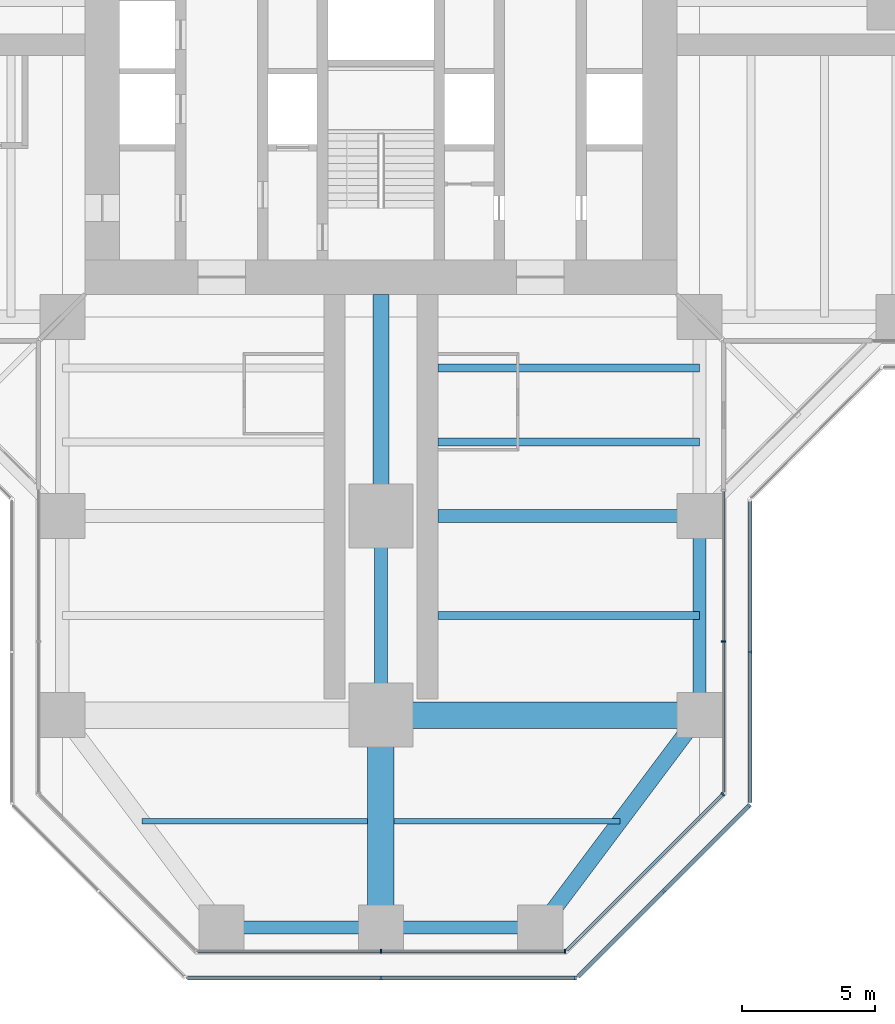
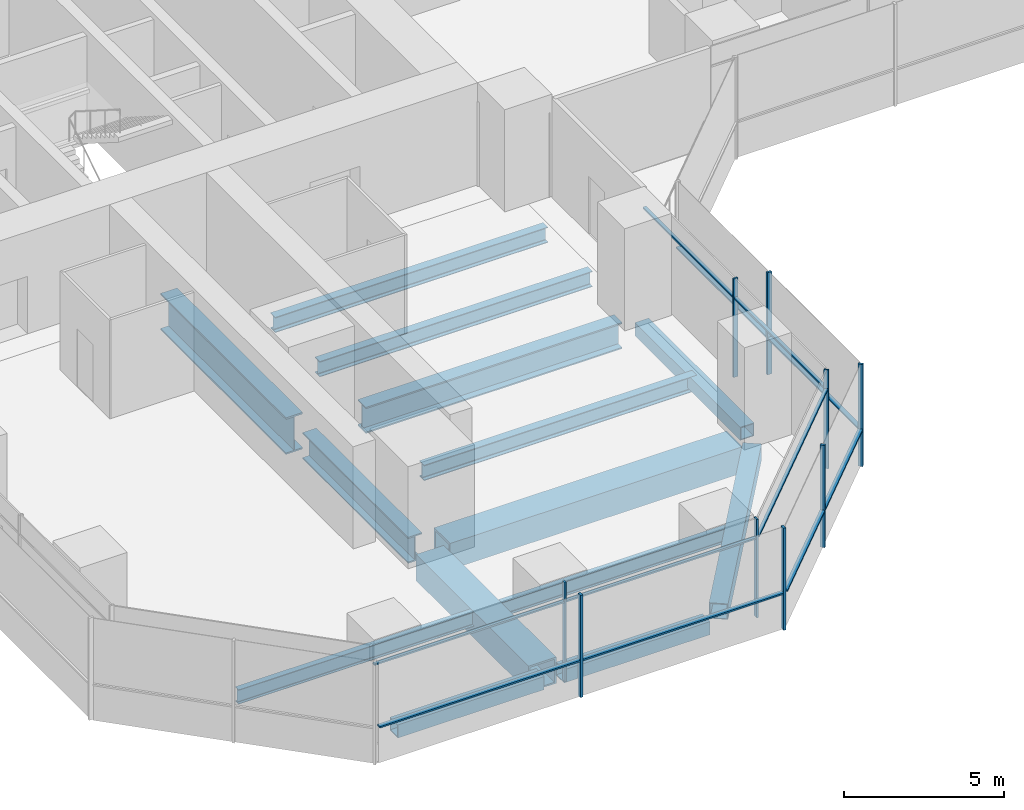
# One storey, part 5 of 22: 20 members, 14 beams, 6 elements without a shape of their own.
"""IFC4 building model written with IfcOpenShell, lengths in metres."""

from ifc_helpers import new_model, si_unit, direction, frame, origin, origin_2d, place, context, subcontext, project, spatial, rectangle, hollow_rectangle, i_section, extrude, material, material_profile, profile_set, type_object, element, aggregate, save


model = new_model("IFC4")

# Units and contexts
model_context = context("Model", 3, precision=1e-05, world=origin(), true_north=direction((0.0, 1.0)))
body_context = subcontext(model_context, "Body", "Model", "MODEL_VIEW")
ifc_project = project(units=[si_unit("LENGTHUNIT", "METRE"), si_unit("AREAUNIT", "SQUARE_METRE"), si_unit("VOLUMEUNIT", "CUBIC_METRE"), si_unit("PLANEANGLEUNIT", "RADIAN"), si_unit("MASSUNIT", "GRAM", prefix="KILO")], contexts=[model_context])

# Site, building, storey
site_placement = place(None, origin())
site = spatial("IfcSite", under=ifc_project, at=site_placement, CompositionType="ELEMENT")
building_placement = place(site_placement, origin())
building = spatial("IfcBuilding", under=site, at=building_placement, Name="Mizan Broadcast Tower", CompositionType="ELEMENT")
storey_placement = place(building_placement, frame((0.0, 0.0, 51.300048828125)))
storey = spatial("IfcBuildingStorey", under=building, at=storey_placement, Name="L09", CompositionType="ELEMENT", Elevation=51.300048828125)

# Beams
ifc_material_1 = material(Name="Steel S355", Category="steel")
ifc_material_profile_1 = material_profile(ifc_material_1, hollow_rectangle(XDim=0.5, YDim=0.5, WallThickness=0.030029296875, at=origin_2d()), Name="BOX 500x500x30")
ifc_profile_set_1 = profile_set([ifc_material_profile_1], Name="Steel S355")
beam_type_1 = type_object("IfcBeamType", Name="EDGE BEAM BOX 500x500x30", PredefinedType="SPANDREL", material=ifc_profile_set_1)
beam_1_placement = place(storey_placement, frame((-5.639892578125, -35.0, -0.380126953125), z_axis=(1.0, 0.0, 0.0), x_axis=(0.0, 1.0, 0.0)))
element("IfcBeam", 1, at=beam_1_placement, inside=storey, type_object=beam_type_1, Name="Edge beam BOX 500x500x30 L09 south arm", PredefinedType="SPANDREL", context=body_context, shape_type="SweptSolid", body=[
    extrude(hollow_rectangle(XDim=0.5, YDim=0.5, WallThickness=0.030029296875, at=origin_2d()), origin(), (0.0, 0.0, 1.0), 5.27978515625),
])
beam_2_placement = place(storey_placement, frame((12.0, -19.949951171875, -0.380126953125), z_axis=(0.0, -1.0, 0.0), x_axis=(1.0, 0.0, 0.0)))
element("IfcBeam", 2, at=beam_2_placement, inside=storey, type_object=beam_type_1, Name="Edge beam BOX 500x500x30 L09 south arm", PredefinedType="SPANDREL", context=body_context, shape_type="SweptSolid", body=[
    extrude(hollow_rectangle(XDim=0.5, YDim=0.5, WallThickness=0.030029296875, at=origin_2d()), origin(), (0.0, 0.0, 1.0), 6.60009765625),
])
beam_3_placement = place(storey_placement, frame((5.639892578125, -35.0, -0.380126953125), z_axis=(-1.0, 0.0, 0.0), x_axis=(0.0, -1.0, 0.0)))
element("IfcBeam", 3, at=beam_3_placement, inside=storey, type_object=beam_type_1, Name="Edge beam BOX 500x500x30 L09 south arm", PredefinedType="SPANDREL", context=body_context, shape_type="SweptSolid", body=[
    extrude(hollow_rectangle(XDim=0.5, YDim=0.5, WallThickness=0.030029296875, at=origin_2d()), origin(), (0.0, 0.0, 1.0), 5.27978515625),
])
ifc_material_2 = material(Name="Steel S355", Category="steel")
ifc_material_profile_2 = material_profile(ifc_material_2, hollow_rectangle(XDim=0.60009765625, YDim=0.60009765625, WallThickness=0.030029296875, at=origin_2d()), Name="BOX 600x600x30")
ifc_profile_set_2 = profile_set([ifc_material_profile_2], Name="Steel S355")
beam_type_2 = type_object("IfcBeamType", Name="EDGE BEAM BOX 600x600x30", PredefinedType="SPANDREL", material=ifc_profile_set_2)
beam_4_placement = place(storey_placement, frame((11.639892578125, -27.47998046875, -0.429931640625), z_axis=(-0.599982243973, -0.800013316712, 0.0), x_axis=(0.800013316712, -0.599982243973, 0.0)))
element("IfcBeam", 4, at=beam_4_placement, inside=storey, type_object=beam_type_2, Name="Edge beam BOX 600x600x30 L09 south arm", PredefinedType="SPANDREL", context=body_context, shape_type="SweptSolid", body=[
    extrude(hollow_rectangle(XDim=0.60009765625, YDim=0.60009765625, WallThickness=0.030029296875, at=origin_2d()), origin(), (0.0, 0.0, 1.0), 8.7998046875),
])
ifc_material_3 = material(Name="Steel S460", Category="steel")
ifc_material_profile_3 = material_profile(ifc_material_3, hollow_rectangle(XDim=1.0, YDim=1.0, WallThickness=0.06005859375, at=origin_2d()), Name="BOX 1000x1000x60")
ifc_profile_set_3 = profile_set([ifc_material_profile_3], Name="Steel S460")
beam_type_3 = type_object("IfcBeamType", Name="GIRDER BOX 1000x1000x60", PredefinedType="BEAM", material=ifc_profile_set_3)
beam_5_placement = place(storey_placement, frame((0.0, -27.47998046875, -0.630126953125), z_axis=(0.0, -1.0, 0.0), x_axis=(1.0, 0.0, 0.0)))
element("IfcBeam", 5, at=beam_5_placement, inside=storey, type_object=beam_type_3, Name="Girder BOX 1000x1000x60 L09 south arm", PredefinedType="BEAM", context=body_context, shape_type="SweptSolid", body=[
    extrude(hollow_rectangle(XDim=1.0, YDim=1.0, WallThickness=0.06005859375, at=origin_2d()), origin(), (0.0, 0.0, 1.0), 7.0400390625),
])
ifc_material_4 = material(Name="Steel S460", Category="steel")
ifc_material_profile_4 = material_profile(ifc_material_4, hollow_rectangle(XDim=1.0, YDim=1.0, WallThickness=0.080078125, at=origin_2d()), Name="BOX 1000x1000x80")
ifc_profile_set_4 = profile_set([ifc_material_profile_4], Name="Steel S460")
beam_type_4 = type_object("IfcBeamType", Name="GIRDER BOX 1000x1000x80", PredefinedType="BEAM", material=ifc_profile_set_4)
beam_6_placement = place(storey_placement, frame((11.280029296875, -27.0, -0.630126953125), z_axis=(-1.0, 0.0, 0.0), x_axis=(0.0, -1.0, 0.0)))
element("IfcBeam", 6, at=beam_6_placement, inside=storey, type_object=beam_type_4, Name="Girder BOX 1000x1000x80 L09 south arm", PredefinedType="BEAM", context=body_context, shape_type="SweptSolid", body=[
    extrude(hollow_rectangle(XDim=1.0, YDim=1.0, WallThickness=0.080078125, at=origin_2d()), origin(), (0.0, 0.0, 1.0), 10.56005859375),
])
ifc_material_5 = material(Name="Steel S460", Category="steel")
ifc_material_profile_5 = material_profile(ifc_material_5, i_section(OverallWidth=0.5, OverallDepth=1.0, WebThickness=0.02490234375, FlangeThickness=0.050048828125, at=origin_2d()), Name="WPG 1000x500")
ifc_profile_set_5 = profile_set([ifc_material_profile_5], Name="Steel S460")
beam_type_5 = type_object("IfcBeamType", Name="GIRDER WPG 1000x500", PredefinedType="BEAM", material=ifc_profile_set_5)
beam_7_placement = place(storey_placement, frame((0.0, -19.949951171875, -0.630126953125), z_axis=(0.0, -1.0, 0.0), x_axis=(1.0, 0.0, 0.0)))
element("IfcBeam", 7, at=beam_7_placement, inside=storey, type_object=beam_type_5, Name="Girder WPG 1000x500 L09 south arm", PredefinedType="BEAM", context=body_context, shape_type="SweptSolid", body=[
    extrude(i_section(OverallWidth=0.5, OverallDepth=1.0, WebThickness=0.02490234375, FlangeThickness=0.050048828125, at=origin_2d()), origin(), (0.0, 0.0, 1.0), 6.60009765625),
])
beam_8_placement = place(storey_placement, frame((11.408935546875, -19.5, -0.630126953125), z_axis=(-1.0, 0.0, 0.0), x_axis=(0.0, -1.0, 0.0)))
element("IfcBeam", 8, at=beam_8_placement, inside=storey, type_object=beam_type_5, Name="Girder WPG 1000x500 L09 south arm", PredefinedType="BEAM", context=body_context, shape_type="SweptSolid", body=[
    extrude(i_section(OverallWidth=0.5, OverallDepth=1.0, WebThickness=0.02490234375, FlangeThickness=0.050048828125, at=origin_2d()), origin(), (0.0, 0.0, 1.0), 9.259033203125),
])
ifc_material_6 = material(Name="Steel S460", Category="steel")
ifc_material_profile_6 = material_profile(ifc_material_6, i_section(OverallWidth=0.60009765625, OverallDepth=1.39990234375, WebThickness=0.02490234375, FlangeThickness=0.06005859375, at=origin_2d()), Name="WPG 1400x600")
ifc_profile_set_6 = profile_set([ifc_material_profile_6], Name="Steel S460")
beam_type_6 = type_object("IfcBeamType", Name="GIRDER WPG 1400x600", PredefinedType="BEAM", material=ifc_profile_set_6)
beam_9_placement = place(storey_placement, frame((0.0, -11.14990234375, -0.830078125), z_axis=(0.0, -1.0, 0.0), x_axis=(1.0, 0.0, 0.0)))
element("IfcBeam", 9, at=beam_9_placement, inside=storey, type_object=beam_type_6, Name="Girder WPG 1400x600 L09 south arm", PredefinedType="BEAM", context=body_context, shape_type="SweptSolid", body=[
    extrude(i_section(OverallWidth=0.60009765625, OverallDepth=1.39990234375, WebThickness=0.02490234375, FlangeThickness=0.06005859375, at=origin_2d()), origin(), (0.0, 0.0, 1.0), 7.84912109375),
])

# Curtain wall, members
ifc_material_7 = material(Name="Aluminium framed glazing", Category="aluminium")
curtain_wall_type_1 = type_object("IfcCurtainWallType", Name="INNER SKIN LOW ZONE", PredefinedType="USERDEFINED", material=ifc_material_7)
curtain_wall_1_placement = place(storey_placement, origin())
curtain_wall_1 = element("IfcCurtainWall", 10, at=curtain_wall_1_placement, inside=storey, type_object=curtain_wall_type_1, Name="Inner skin low zone L09 S end", ObjectType="INNER SKIN LOW ZONE", PredefinedType="USERDEFINED")
ifc_material_8 = material(Name="Aluminium, pale anodised", Category="aluminium")
ifc_material_profile_7 = material_profile(ifc_material_8, rectangle(XDim=0.159912109375, YDim=0.06005859375, at=origin_2d()), Name="MULLION 160x60")
ifc_profile_set_7 = profile_set([ifc_material_profile_7], Name="Aluminium, pale anodised")
member_type_1 = type_object("IfcMemberType", Name="INNER SKIN MULLION 60x160", PredefinedType="MULLION", material=ifc_profile_set_7)
member_1_placement = place(storey_placement, frame((0.0, -35.89990234375, 0.0), z_axis=(0.0, 0.0, 1.0), x_axis=(0.0, 1.0, 0.0)))
member_1 = element("IfcMember", 11, at=member_1_placement, type_object=member_type_1, Name="Inner skin low zone L09 S end mullion 2", PredefinedType="MULLION", context=body_context, shape_type="SweptSolid", body=[
    extrude(rectangle(XDim=0.159912109375, YDim=0.06005859375, at=origin_2d()), origin(), (0.0, 0.0, 1.0), 3.77001953125),
])
member_2_placement = place(storey_placement, frame((6.928466796875, -35.89990234375, 0.0), z_axis=(0.0, 0.0, 1.0), x_axis=(0.0, 1.0, 0.0)))
member_2 = element("IfcMember", 12, at=member_2_placement, type_object=member_type_1, Name="Inner skin low zone L09 S end mullion 3", PredefinedType="MULLION", context=body_context, shape_type="SweptSolid", body=[
    extrude(rectangle(XDim=0.159912109375, YDim=0.06005859375, at=origin_2d()), origin(), (0.0, 0.0, 1.0), 3.77001953125),
])

# Curtain wall, member
curtain_wall_2_placement = place(storey_placement, origin())
curtain_wall_2 = element("IfcCurtainWall", 13, at=curtain_wall_2_placement, inside=storey, type_object=curtain_wall_type_1, Name="Inner skin low zone L09 S chamfer", ObjectType="INNER SKIN LOW ZONE", PredefinedType="USERDEFINED")
member_3_placement = place(storey_placement, frame((12.87890625, -29.979736328125, 0.0), z_axis=(0.0, 0.0, 1.0), x_axis=(-0.707106781187, 0.707106781187, 0.0)))
member_3 = element("IfcMember", 14, at=member_3_placement, type_object=member_type_1, Name="Inner skin low zone L09 S chamfer mullion 2", PredefinedType="MULLION", context=body_context, shape_type="SweptSolid", body=[
    extrude(rectangle(XDim=0.159912109375, YDim=0.06005859375, at=origin_2d()), origin(), (0.0, 0.0, 1.0), 3.77001953125),
])

curtain_wall_3_placement = place(storey_placement, origin())
curtain_wall_3 = element("IfcCurtainWall", 15, at=curtain_wall_3_placement, inside=storey, type_object=curtain_wall_type_1, Name="Inner skin low zone L09 S side", ObjectType="INNER SKIN LOW ZONE", PredefinedType="USERDEFINED")
member_4_placement = place(storey_placement, frame((12.89990234375, -24.229248046875, 0.0), z_axis=(0.0, 0.0, 1.0), x_axis=(-1.0, 0.0, 0.0)))
member_4 = element("IfcMember", 16, at=member_4_placement, type_object=member_type_1, Name="Inner skin low zone L09 S side mullion 2", PredefinedType="MULLION", context=body_context, shape_type="SweptSolid", body=[
    extrude(rectangle(XDim=0.159912109375, YDim=0.06005859375, at=origin_2d()), origin(), (0.0, 0.0, 1.0), 3.77001953125),
])

# Member
ifc_material_9 = material(Name="Aluminium, pale anodised", Category="aluminium")
ifc_material_profile_8 = material_profile(ifc_material_9, rectangle(XDim=0.1201171875, YDim=0.06005859375, at=origin_2d()), Name="TRANSOM 120x60")
ifc_profile_set_8 = profile_set([ifc_material_profile_8], Name="Aluminium, pale anodised")
member_type_2 = type_object("IfcMemberType", Name="INNER SKIN TRANSOM 60x120", PredefinedType="USERDEFINED", material=ifc_profile_set_8)
member_5_placement = place(storey_placement, frame((-6.898681640625, -35.89990234375, 3.030029296875), z_axis=(1.0, 0.0, 0.0), x_axis=(0.0, 1.0, 0.0)))
member_5 = element("IfcMember", 17, at=member_5_placement, type_object=member_type_2, Name="Inner skin low zone L09 S end transom 1.1", ObjectType="TRANSOM", PredefinedType="USERDEFINED", context=body_context, shape_type="SweptSolid", body=[
    extrude(rectangle(XDim=0.1201171875, YDim=0.06005859375, at=origin_2d()), origin(), (0.0, 0.0, 1.0), 6.86865234375),
])

member_6_placement = place(storey_placement, frame((0.030029296875, -35.89990234375, 3.030029296875), z_axis=(1.0, 0.0, 0.0), x_axis=(0.0, 1.0, 0.0)))
member_6 = element("IfcMember", 18, at=member_6_placement, type_object=member_type_2, Name="Inner skin low zone L09 S end transom 2.1", ObjectType="TRANSOM", PredefinedType="USERDEFINED", context=body_context, shape_type="SweptSolid", body=[
    extrude(rectangle(XDim=0.1201171875, YDim=0.06005859375, at=origin_2d()), origin(), (0.0, 0.0, 1.0), 6.86865234375),
])

aggregate(curtain_wall_1, [member_1, member_2, member_5, member_6])

member_7_placement = place(storey_placement, frame((7.0009765625, -35.857666015625, 3.030029296875), z_axis=(0.707106781187, 0.707106781187, 0.0), x_axis=(-0.707106781187, 0.707106781187, 0.0)))
member_7 = element("IfcMember", 19, at=member_7_placement, type_object=member_type_2, Name="Inner skin low zone L09 S chamfer transom 1.1", ObjectType="TRANSOM", PredefinedType="USERDEFINED", context=body_context, shape_type="SweptSolid", body=[
    extrude(rectangle(XDim=0.1201171875, YDim=0.06005859375, at=origin_2d()), origin(), (0.0, 0.0, 1.0), 8.28271484375),
])

aggregate(curtain_wall_2, [member_3, member_7])

member_8_placement = place(storey_placement, frame((12.89990234375, -29.898681640625, 3.030029296875), z_axis=(0.0, 1.0, 0.0), x_axis=(-1.0, 0.0, 0.0)))
member_8 = element("IfcMember", 20, at=member_8_placement, type_object=member_type_2, Name="Inner skin low zone L09 S side transom 1.1", ObjectType="TRANSOM", PredefinedType="USERDEFINED", context=body_context, shape_type="SweptSolid", body=[
    extrude(rectangle(XDim=0.1201171875, YDim=0.06005859375, at=origin_2d()), origin(), (0.0, 0.0, 1.0), 5.639404296875),
])

member_9_placement = place(storey_placement, frame((12.89990234375, -24.19921875, 3.030029296875), z_axis=(0.0, 1.0, 0.0), x_axis=(-1.0, 0.0, 0.0)))
member_9 = element("IfcMember", 21, at=member_9_placement, type_object=member_type_2, Name="Inner skin low zone L09 S side transom 2.1", ObjectType="TRANSOM", PredefinedType="USERDEFINED", context=body_context, shape_type="SweptSolid", body=[
    extrude(rectangle(XDim=0.1201171875, YDim=0.06005859375, at=origin_2d()), origin(), (0.0, 0.0, 1.0), 5.63916015625),
])

aggregate(curtain_wall_3, [member_4, member_8, member_9])

# Curtain wall, members
ifc_material_10 = material(Name="Aluminium framed glazing", Category="aluminium")
curtain_wall_type_2 = type_object("IfcCurtainWallType", Name="OUTER SKIN", PredefinedType="USERDEFINED", material=ifc_material_10)
curtain_wall_4_placement = place(storey_placement, origin())
curtain_wall_4 = element("IfcCurtainWall", 22, at=curtain_wall_4_placement, inside=storey, type_object=curtain_wall_type_2, Name="Outer skin L09 S end", ObjectType="OUTER SKIN", PredefinedType="USERDEFINED")
ifc_material_11 = material(Name="Aluminium, pale anodised", Category="aluminium")
ifc_material_profile_9 = material_profile(ifc_material_11, rectangle(XDim=0.159912109375, YDim=0.080078125, at=origin_2d()), Name="MULLION 160x80")
ifc_profile_set_9 = profile_set([ifc_material_profile_9], Name="Aluminium, pale anodised")
member_type_3 = type_object("IfcMemberType", Name="OUTER SKIN MULLION 80x160", PredefinedType="MULLION", material=ifc_profile_set_9)
member_10_placement = place(storey_placement, frame((0.0, -36.89990234375, 0.0), z_axis=(0.0, 0.0, 1.0), x_axis=(0.0, 1.0, 0.0)))
member_10 = element("IfcMember", 23, at=member_10_placement, type_object=member_type_3, Name="Outer skin L09 S end mullion 2", PredefinedType="MULLION", context=body_context, shape_type="SweptSolid", body=[
    extrude(rectangle(XDim=0.159912109375, YDim=0.080078125, at=origin_2d()), origin(), (0.0, 0.0, 1.0), 3.89990234375),
])
member_11_placement = place(storey_placement, frame((7.332763671875, -36.89990234375, 0.0), z_axis=(0.0, 0.0, 1.0), x_axis=(0.0, 1.0, 0.0)))
member_11 = element("IfcMember", 24, at=member_11_placement, type_object=member_type_3, Name="Outer skin L09 S end mullion 3", PredefinedType="MULLION", context=body_context, shape_type="SweptSolid", body=[
    extrude(rectangle(XDim=0.159912109375, YDim=0.080078125, at=origin_2d()), origin(), (0.0, 0.0, 1.0), 3.89990234375),
])

curtain_wall_5_placement = place(storey_placement, origin())
curtain_wall_5 = element("IfcCurtainWall", 25, at=curtain_wall_5_placement, inside=storey, type_object=curtain_wall_type_2, Name="Outer skin L09 S chamfer", ObjectType="OUTER SKIN", PredefinedType="USERDEFINED")
member_12_placement = place(storey_placement, frame((10.636474609375, -33.636474609375, 0.0), z_axis=(0.0, 0.0, 1.0), x_axis=(-0.707106781187, 0.707106781187, 0.0)))
member_12 = element("IfcMember", 26, at=member_12_placement, type_object=member_type_3, Name="Outer skin L09 S chamfer mullion 2", PredefinedType="MULLION", context=body_context, shape_type="SweptSolid", body=[
    extrude(rectangle(XDim=0.159912109375, YDim=0.080078125, at=origin_2d()), origin(), (0.0, 0.0, 1.0), 3.89990234375),
])
member_13_placement = place(storey_placement, frame((13.871826171875, -30.401123046875, 0.0), z_axis=(0.0, 0.0, 1.0), x_axis=(-0.707106781187, 0.707106781187, 0.0)))
member_13 = element("IfcMember", 27, at=member_13_placement, type_object=member_type_3, Name="Outer skin L09 S chamfer mullion 3", PredefinedType="MULLION", context=body_context, shape_type="SweptSolid", body=[
    extrude(rectangle(XDim=0.159912109375, YDim=0.080078125, at=origin_2d()), origin(), (0.0, 0.0, 1.0), 3.89990234375),
])

# Curtain wall, member
curtain_wall_6_placement = place(storey_placement, origin())
curtain_wall_6 = element("IfcCurtainWall", 28, at=curtain_wall_6_placement, inside=storey, type_object=curtain_wall_type_2, Name="Outer skin L09 S side", ObjectType="OUTER SKIN", PredefinedType="USERDEFINED")
member_14_placement = place(storey_placement, frame((13.89990234375, -24.622802734375, 0.0), z_axis=(0.0, 0.0, 1.0), x_axis=(-1.0, 0.0, 0.0)))
member_14 = element("IfcMember", 29, at=member_14_placement, type_object=member_type_3, Name="Outer skin L09 S side mullion 2", PredefinedType="MULLION", context=body_context, shape_type="SweptSolid", body=[
    extrude(rectangle(XDim=0.159912109375, YDim=0.080078125, at=origin_2d()), origin(), (0.0, 0.0, 1.0), 3.89990234375),
])

# Member
ifc_material_12 = material(Name="Aluminium, pale anodised", Category="aluminium")
ifc_material_profile_10 = material_profile(ifc_material_12, rectangle(XDim=0.159912109375, YDim=0.06005859375, at=origin_2d()), Name="TRANSOM 160x60")
ifc_profile_set_10 = profile_set([ifc_material_profile_10], Name="Aluminium, pale anodised")
member_type_4 = type_object("IfcMemberType", Name="OUTER SKIN TRANSOM 60x160", PredefinedType="USERDEFINED", material=ifc_profile_set_10)
member_15_placement = place(storey_placement, frame((-7.292724609375, -36.89990234375, 1.39990234375), z_axis=(1.0, 0.0, 0.0), x_axis=(0.0, 1.0, 0.0)))
member_15 = element("IfcMember", 30, at=member_15_placement, type_object=member_type_4, Name="Outer skin L09 S end transom 1.1", ObjectType="TRANSOM", PredefinedType="USERDEFINED", context=body_context, shape_type="SweptSolid", body=[
    extrude(rectangle(XDim=0.159912109375, YDim=0.06005859375, at=origin_2d()), origin(), (0.0, 0.0, 1.0), 7.252685546875),
])

member_16_placement = place(storey_placement, frame((0.0400390625, -36.89990234375, 1.39990234375), z_axis=(1.0, 0.0, 0.0), x_axis=(0.0, 1.0, 0.0)))
member_16 = element("IfcMember", 31, at=member_16_placement, type_object=member_type_4, Name="Outer skin L09 S end transom 2.1", ObjectType="TRANSOM", PredefinedType="USERDEFINED", context=body_context, shape_type="SweptSolid", body=[
    extrude(rectangle(XDim=0.159912109375, YDim=0.06005859375, at=origin_2d()), origin(), (0.0, 0.0, 1.0), 7.252685546875),
])

aggregate(curtain_wall_4, [member_10, member_11, member_15, member_16])

member_17_placement = place(storey_placement, frame((7.429443359375, -36.843505859375, 1.39990234375), z_axis=(0.707106781187, 0.707106781187, 0.0), x_axis=(-0.707106781187, 0.707106781187, 0.0)))
member_17 = element("IfcMember", 32, at=member_17_placement, type_object=member_type_4, Name="Outer skin L09 S chamfer transom 1.1", ObjectType="TRANSOM", PredefinedType="USERDEFINED", context=body_context, shape_type="SweptSolid", body=[
    extrude(rectangle(XDim=0.159912109375, YDim=0.06005859375, at=origin_2d()), origin(), (0.0, 0.0, 1.0), 4.495361328125),
])

member_18_placement = place(storey_placement, frame((10.664794921875, -33.608154296875, 1.39990234375), z_axis=(0.707106781187, 0.707106781187, 0.0), x_axis=(-0.707106781187, 0.707106781187, 0.0)))
member_18 = element("IfcMember", 33, at=member_18_placement, type_object=member_type_4, Name="Outer skin L09 S chamfer transom 2.1", ObjectType="TRANSOM", PredefinedType="USERDEFINED", context=body_context, shape_type="SweptSolid", body=[
    extrude(rectangle(XDim=0.159912109375, YDim=0.06005859375, at=origin_2d()), origin(), (0.0, 0.0, 1.0), 4.495361328125),
])

aggregate(curtain_wall_5, [member_12, member_13, member_17, member_18])

member_19_placement = place(storey_placement, frame((13.89990234375, -30.292724609375, 1.39990234375), z_axis=(0.0, 1.0, 0.0), x_axis=(-1.0, 0.0, 0.0)))
member_19 = element("IfcMember", 34, at=member_19_placement, type_object=member_type_4, Name="Outer skin L09 S side transom 1.1", ObjectType="TRANSOM", PredefinedType="USERDEFINED", context=body_context, shape_type="SweptSolid", body=[
    extrude(rectangle(XDim=0.159912109375, YDim=0.06005859375, at=origin_2d()), origin(), (0.0, 0.0, 1.0), 5.6298828125),
])

member_20_placement = place(storey_placement, frame((13.89990234375, -24.582763671875, 1.39990234375), z_axis=(0.0, 1.0, 0.0), x_axis=(-1.0, 0.0, 0.0)))
member_20 = element("IfcMember", 35, at=member_20_placement, type_object=member_type_4, Name="Outer skin L09 S side transom 2.1", ObjectType="TRANSOM", PredefinedType="USERDEFINED", context=body_context, shape_type="SweptSolid", body=[
    extrude(rectangle(XDim=0.159912109375, YDim=0.06005859375, at=origin_2d()), origin(), (0.0, 0.0, 1.0), 5.6298828125),
])

aggregate(curtain_wall_6, [member_14, member_19, member_20])

# Beams
ifc_material_13 = material(Name="Steel S355", Category="steel")
ifc_material_profile_11 = material_profile(ifc_material_13, i_section(OverallWidth=0.300048828125, OverallDepth=0.590087890625, WebThickness=0.012939453125, FlangeThickness=0.02490234375, FilletRadius=0.027099609375, at=origin_2d()), Name="HEA 600")
ifc_profile_set_11 = profile_set([ifc_material_profile_11], Name="Steel S355")
beam_type_7 = type_object("IfcBeamType", Name="SECONDARY BEAM HEA 600", PredefinedType="JOIST", material=ifc_profile_set_11)
for number, where, z_axis, x_axis, name in (
    (36, (12.0, -13.933349609375, -0.425048828125), (-1.0, 0.0, 0.0), (0.0, -1.0, 0.0), "Secondary beam HEA 600 L09 south arm"),
    (37, (12.0, -16.716552734375, -0.425048828125), (-1.0, 0.0, 0.0), (0.0, -1.0, 0.0), "Secondary beam HEA 600 L09 south arm"),
    (38, (12.0, -23.25, -0.425048828125), (-1.0, 0.0, 0.0), (0.0, -1.0, 0.0), "Secondary beam HEA 600 L09 south arm"),
):
    element("IfcBeam", number, at=place(storey_placement, frame(where, z_axis=z_axis, x_axis=x_axis)), inside=storey, type_object=beam_type_7, Name=name, PredefinedType="JOIST", context=body_context, shape_type="SweptSolid", body=[
        extrude(i_section(OverallWidth=0.300048828125, OverallDepth=0.590087890625, WebThickness=0.012939453125, FlangeThickness=0.02490234375, FilletRadius=0.027099609375, at=origin_2d()), origin(), (0.0, 0.0, 1.0), 9.85009765625),
    ])
ifc_material_14 = material(Name="Steel S355", Category="steel")
ifc_material_profile_12 = material_profile(ifc_material_14, i_section(OverallWidth=0.2099609375, OverallDepth=0.550048828125, WebThickness=0.010986328125, FlangeThickness=0.01708984375, FilletRadius=0.02392578125, at=origin_2d()), Name="IPE 550")
ifc_profile_set_12 = profile_set([ifc_material_profile_12], Name="Steel S355")
beam_type_8 = type_object("IfcBeamType", Name="SECONDARY BEAM IPE 550", PredefinedType="JOIST", material=ifc_profile_set_12)
for number, where, z_axis, x_axis, name in (
    (39, (-9.0, -31.0, -0.405029296875), (1.0, 0.0, 0.0), (0.0, 1.0, 0.0), "Secondary beam IPE 550 L09 south arm"),
    (40, (9.0, -31.0, -0.405029296875), (-1.0, 0.0, 0.0), (0.0, -1.0, 0.0), "Secondary beam IPE 550 L09 south arm"),
):
    element("IfcBeam", number, at=place(storey_placement, frame(where, z_axis=z_axis, x_axis=x_axis)), inside=storey, type_object=beam_type_8, Name=name, PredefinedType="JOIST", context=body_context, shape_type="SweptSolid", body=[
        extrude(i_section(OverallWidth=0.2099609375, OverallDepth=0.550048828125, WebThickness=0.010986328125, FlangeThickness=0.01708984375, FilletRadius=0.02392578125, at=origin_2d()), origin(), (0.0, 0.0, 1.0), 8.5),
    ])

save(model, "model.ifc")
